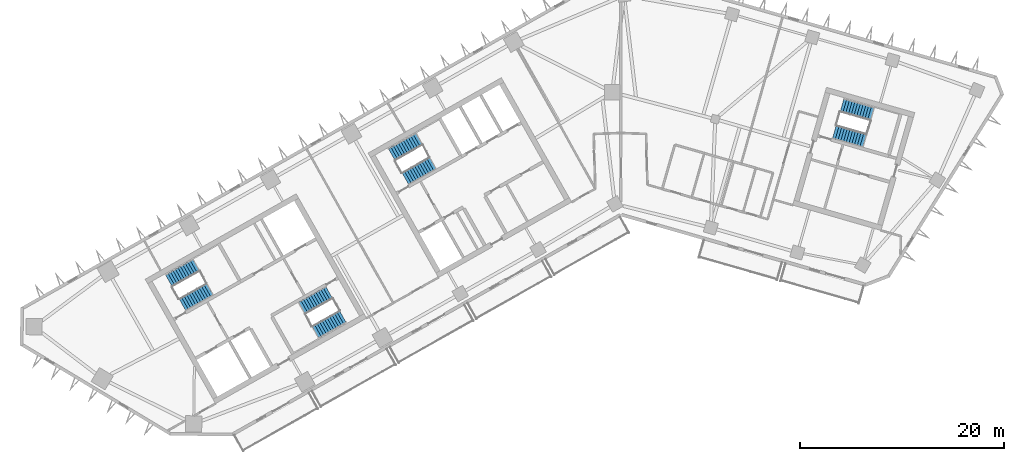
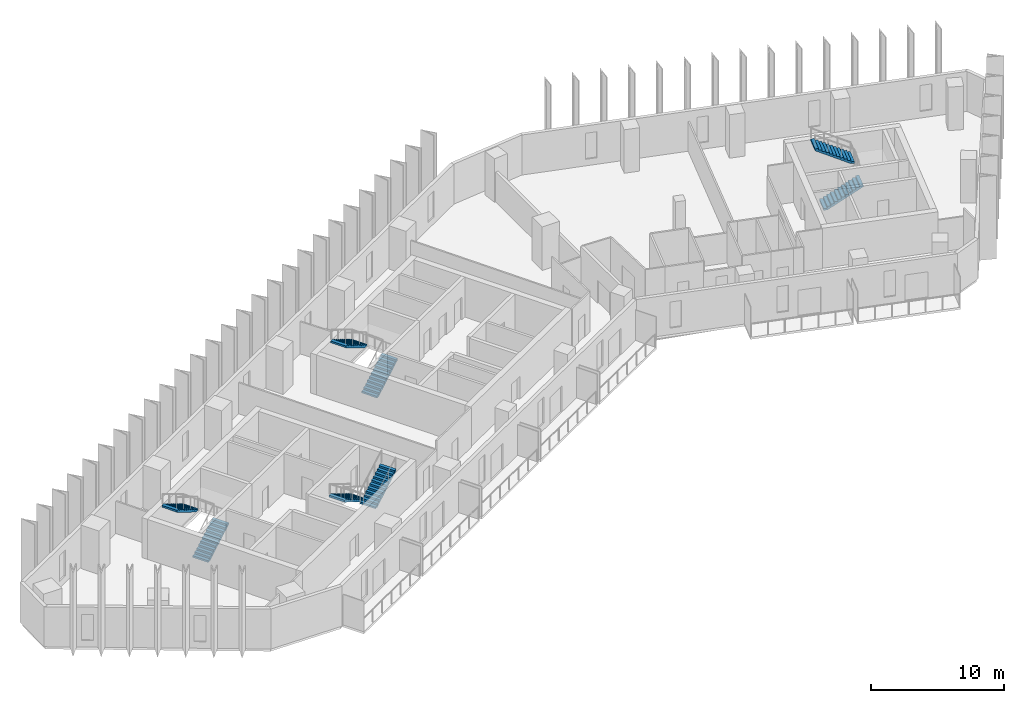
# One storey, part 7 of 10: 8 stair flights, 4 elements without a shape of their own.
"""IFC4 building model written with IfcOpenShell, lengths in metres."""

from ifc_helpers import new_model, si_unit, direction, frame, origin, place, context, subcontext, project, spatial, polyline, outline, extrude, material, type_object, element, aggregate, save


model = new_model("IFC4")

# Units and contexts
model_context = context("Model", 3, precision=1e-05, world=origin(), true_north=direction((0.0, 1.0)))
body_context = subcontext(model_context, "Body", "Model", "MODEL_VIEW")
ifc_project = project(units=[si_unit("LENGTHUNIT", "METRE"), si_unit("AREAUNIT", "SQUARE_METRE"), si_unit("VOLUMEUNIT", "CUBIC_METRE"), si_unit("PLANEANGLEUNIT", "RADIAN"), si_unit("MASSUNIT", "GRAM", prefix="KILO")], contexts=[model_context])

# Site, building, storey
site_placement = place(None, origin())
site = spatial("IfcSite", under=ifc_project, at=site_placement, CompositionType="ELEMENT")
building_placement = place(site_placement, origin())
building = spatial("IfcBuilding", under=site, at=building_placement, Name="Binnacle Exchange Tower", CompositionType="ELEMENT")
storey_placement = place(building_placement, frame((0.0, 0.0, 162.89990234375)))
storey = spatial("IfcBuildingStorey", under=building, at=storey_placement, Name="L34", CompositionType="ELEMENT", Elevation=162.89990234375)

# Stair, stair flights
ifc_material = material(Name="Concrete C35/45", Category="concrete")
stair_type = type_object("IfcStairType", Name="STAIR 24 RISERS 167", PredefinedType="HALF_TURN_STAIR", material=ifc_material)
stair_1_placement = place(storey_placement, origin())
stair_1 = element("IfcStair", 1, at=stair_1_placement, inside=storey, type_object=stair_type, Name="L34 Escape stair A1", PredefinedType="HALF_TURN_STAIR")
stair_flight_type = type_object("IfcStairFlightType", Name="STAIR FLIGHT 167X280", PredefinedType="STRAIGHT", material=ifc_material)
stair_flight_1_placement = place(storey_placement, frame((-42.9541015625, 39.17333984375, 0.0), z_axis=(0.0, 0.0, 1.0), x_axis=(0.870355584213, 0.492423757581, 0.0)))
stair_flight_1 = element("IfcStairFlight", 2, at=stair_flight_1_placement, type_object=stair_flight_type, Name="STA1 flight 1", NumberOfRisers=12, NumberOfTreads=11, PredefinedType="STRAIGHT", RiserHeight=0.166666667, TreadLength=0.28, context=body_context, shape_type="SweptSolid", body=[
    extrude(outline(polyline([(0.0, 0.0), (0.0, 0.166748046875), (0.280029296875, 0.166748046875), (0.280029296875, 0.333251953125), (0.56005859375, 0.333251953125), (0.56005859375, 0.5), (0.840087890625, 0.5), (0.840087890625, 0.666748046875), (1.1201171875, 0.666748046875), (1.1201171875, 0.833251953125), (1.39990234375, 0.833251953125), (1.39990234375, 1.0), (1.679931640625, 1.0), (1.679931640625, 1.166748046875), (1.9599609375, 1.166748046875), (1.9599609375, 1.333251953125), (2.239990234375, 1.333251953125), (2.239990234375, 1.5), (2.52001953125, 1.5), (2.52001953125, 1.666748046875), (2.800048828125, 1.666748046875), (2.800048828125, 1.833251953125), (3.080078125, 1.833251953125), (3.080078125, 2.0), (3.080078125, 1.658935546875), (0.29296875, 0.0), (0.0, 0.0)])), frame((0.0, 0.675048828125, 0.0), z_axis=(0.0, -1.0, 0.0), x_axis=(1.0, 0.0, 0.0)), (0.0, 0.0, 1.0), 1.35009765625),
])
stair_flight_2_placement = place(storey_placement, frame((-41.602783203125, 43.0400390625, 2.0), z_axis=(0.0, 0.0, 1.0), x_axis=(-0.870355584213, -0.492423757581, 0.0)))
stair_flight_2 = element("IfcStairFlight", 3, at=stair_flight_2_placement, type_object=stair_flight_type, Name="STA1 flight 2", NumberOfRisers=12, NumberOfTreads=11, PredefinedType="STRAIGHT", RiserHeight=0.166666667, TreadLength=0.28, context=body_context, shape_type="SweptSolid", body=[
    extrude(outline(polyline([(0.0, 0.0), (0.0, 0.166748046875), (0.280029296875, 0.166748046875), (0.280029296875, 0.333251953125), (0.56005859375, 0.333251953125), (0.56005859375, 0.5), (0.840087890625, 0.5), (0.840087890625, 0.666748046875), (1.1201171875, 0.666748046875), (1.1201171875, 0.833251953125), (1.39990234375, 0.833251953125), (1.39990234375, 1.0), (1.679931640625, 1.0), (1.679931640625, 1.166748046875), (1.9599609375, 1.166748046875), (1.9599609375, 1.333251953125), (2.239990234375, 1.333251953125), (2.239990234375, 1.5), (2.52001953125, 1.5), (2.52001953125, 1.666748046875), (2.800048828125, 1.666748046875), (2.800048828125, 1.833251953125), (3.080078125, 1.833251953125), (3.080078125, 2.0), (3.080078125, 1.658935546875), (0.29296875, 0.0), (0.0, 0.0)])), frame((0.0, 0.675048828125, 0.0), z_axis=(0.0, -1.0, 0.0), x_axis=(1.0, 0.0, 0.0)), (0.0, 0.0, 1.0), 1.35009765625),
])
aggregate(stair_1, [stair_flight_1, stair_flight_2])

stair_2_placement = place(storey_placement, origin())
stair_2 = element("IfcStair", 4, at=stair_2_placement, inside=storey, type_object=stair_type, Name="L34 Escape stair A2", PredefinedType="HALF_TURN_STAIR")
stair_flight_3_placement = place(storey_placement, frame((-28.5732421875, 40.3583984375, 0.0), z_axis=(0.0, 0.0, 1.0), x_axis=(-0.870355584213, -0.492423757581, 0.0)))
stair_flight_3 = element("IfcStairFlight", 5, at=stair_flight_3_placement, type_object=stair_flight_type, Name="STA2 flight 1", NumberOfRisers=12, NumberOfTreads=11, PredefinedType="STRAIGHT", RiserHeight=0.166666667, TreadLength=0.28, context=body_context, shape_type="SweptSolid", body=[
    extrude(outline(polyline([(0.0, 0.0), (0.0, 0.166748046875), (0.280029296875, 0.166748046875), (0.280029296875, 0.333251953125), (0.56005859375, 0.333251953125), (0.56005859375, 0.5), (0.840087890625, 0.5), (0.840087890625, 0.666748046875), (1.1201171875, 0.666748046875), (1.1201171875, 0.833251953125), (1.39990234375, 0.833251953125), (1.39990234375, 1.0), (1.679931640625, 1.0), (1.679931640625, 1.166748046875), (1.9599609375, 1.166748046875), (1.9599609375, 1.333251953125), (2.239990234375, 1.333251953125), (2.239990234375, 1.5), (2.52001953125, 1.5), (2.52001953125, 1.666748046875), (2.800048828125, 1.666748046875), (2.800048828125, 1.833251953125), (3.080078125, 1.833251953125), (3.080078125, 2.0), (3.080078125, 1.658935546875), (0.29296875, 0.0), (0.0, 0.0)])), frame((0.0, 0.675048828125, 0.0), z_axis=(0.0, -1.0, 0.0), x_axis=(1.0, 0.0, 0.0)), (0.0, 0.0, 1.0), 1.35009765625),
])
stair_flight_4_placement = place(storey_placement, frame((-29.92431640625, 36.49169921875, 2.0), z_axis=(0.0, 0.0, 1.0), x_axis=(0.870355584213, 0.492423757581, 0.0)))
stair_flight_4 = element("IfcStairFlight", 6, at=stair_flight_4_placement, type_object=stair_flight_type, Name="STA2 flight 2", NumberOfRisers=12, NumberOfTreads=11, PredefinedType="STRAIGHT", RiserHeight=0.166666667, TreadLength=0.28, context=body_context, shape_type="SweptSolid", body=[
    extrude(outline(polyline([(0.0, 0.0), (0.0, 0.166748046875), (0.280029296875, 0.166748046875), (0.280029296875, 0.333251953125), (0.56005859375, 0.333251953125), (0.56005859375, 0.5), (0.840087890625, 0.5), (0.840087890625, 0.666748046875), (1.1201171875, 0.666748046875), (1.1201171875, 0.833251953125), (1.39990234375, 0.833251953125), (1.39990234375, 1.0), (1.679931640625, 1.0), (1.679931640625, 1.166748046875), (1.9599609375, 1.166748046875), (1.9599609375, 1.333251953125), (2.239990234375, 1.333251953125), (2.239990234375, 1.5), (2.52001953125, 1.5), (2.52001953125, 1.666748046875), (2.800048828125, 1.666748046875), (2.800048828125, 1.833251953125), (3.080078125, 1.833251953125), (3.080078125, 2.0), (3.080078125, 1.658935546875), (0.29296875, 0.0), (0.0, 0.0)])), frame((0.0, 0.675048828125, 0.0), z_axis=(0.0, -1.0, 0.0), x_axis=(1.0, 0.0, 0.0)), (0.0, 0.0, 1.0), 1.35009765625),
])
aggregate(stair_2, [stair_flight_3, stair_flight_4])

stair_3_placement = place(storey_placement, origin())
stair_3 = element("IfcStair", 7, at=stair_3_placement, inside=storey, type_object=stair_type, Name="L34 Escape stair C1", PredefinedType="HALF_TURN_STAIR")
stair_flight_5_placement = place(storey_placement, frame((-21.115966796875, 51.528564453125, 0.0), z_axis=(0.0, 0.0, 1.0), x_axis=(0.870355584213, 0.492423757581, 0.0)))
stair_flight_5 = element("IfcStairFlight", 8, at=stair_flight_5_placement, type_object=stair_flight_type, Name="STC1 flight 1", NumberOfRisers=12, NumberOfTreads=11, PredefinedType="STRAIGHT", RiserHeight=0.166666667, TreadLength=0.28, context=body_context, shape_type="SweptSolid", body=[
    extrude(outline(polyline([(0.0, 0.0), (0.0, 0.166748046875), (0.280029296875, 0.166748046875), (0.280029296875, 0.333251953125), (0.56005859375, 0.333251953125), (0.56005859375, 0.5), (0.840087890625, 0.5), (0.840087890625, 0.666748046875), (1.1201171875, 0.666748046875), (1.1201171875, 0.833251953125), (1.39990234375, 0.833251953125), (1.39990234375, 1.0), (1.679931640625, 1.0), (1.679931640625, 1.166748046875), (1.9599609375, 1.166748046875), (1.9599609375, 1.333251953125), (2.239990234375, 1.333251953125), (2.239990234375, 1.5), (2.52001953125, 1.5), (2.52001953125, 1.666748046875), (2.800048828125, 1.666748046875), (2.800048828125, 1.833251953125), (3.080078125, 1.833251953125), (3.080078125, 2.0), (3.080078125, 1.658935546875), (0.29296875, 0.0), (0.0, 0.0)])), frame((0.0, 0.675048828125, 0.0), z_axis=(0.0, -1.0, 0.0), x_axis=(1.0, 0.0, 0.0)), (0.0, 0.0, 1.0), 1.35009765625),
])
stair_flight_6_placement = place(storey_placement, frame((-19.764892578125, 55.395263671875, 2.0), z_axis=(0.0, 0.0, 1.0), x_axis=(-0.870355584213, -0.492423757581, 0.0)))
stair_flight_6 = element("IfcStairFlight", 9, at=stair_flight_6_placement, type_object=stair_flight_type, Name="STC1 flight 2", NumberOfRisers=12, NumberOfTreads=11, PredefinedType="STRAIGHT", RiserHeight=0.166666667, TreadLength=0.28, context=body_context, shape_type="SweptSolid", body=[
    extrude(outline(polyline([(0.0, 0.0), (0.0, 0.166748046875), (0.280029296875, 0.166748046875), (0.280029296875, 0.333251953125), (0.56005859375, 0.333251953125), (0.56005859375, 0.5), (0.840087890625, 0.5), (0.840087890625, 0.666748046875), (1.1201171875, 0.666748046875), (1.1201171875, 0.833251953125), (1.39990234375, 0.833251953125), (1.39990234375, 1.0), (1.679931640625, 1.0), (1.679931640625, 1.166748046875), (1.9599609375, 1.166748046875), (1.9599609375, 1.333251953125), (2.239990234375, 1.333251953125), (2.239990234375, 1.5), (2.52001953125, 1.5), (2.52001953125, 1.666748046875), (2.800048828125, 1.666748046875), (2.800048828125, 1.833251953125), (3.080078125, 1.833251953125), (3.080078125, 2.0), (3.080078125, 1.658935546875), (0.29296875, 0.0), (0.0, 0.0)])), frame((0.0, 0.675048828125, 0.0), z_axis=(0.0, -1.0, 0.0), x_axis=(1.0, 0.0, 0.0)), (0.0, 0.0, 1.0), 1.35009765625),
])
aggregate(stair_3, [stair_flight_5, stair_flight_6])

stair_4_placement = place(storey_placement, origin())
stair_4 = element("IfcStair", 10, at=stair_4_placement, inside=storey, type_object=stair_type, Name="L34 Escape stair D1", PredefinedType="HALF_TURN_STAIR")
stair_flight_7_placement = place(storey_placement, frame((20.914306640625, 56.109619140625, 0.0), z_axis=(0.0, 0.0, 1.0), x_axis=(0.961261811397, -0.275636953165, 0.0)))
stair_flight_7 = element("IfcStairFlight", 11, at=stair_flight_7_placement, type_object=stair_flight_type, Name="STD1 flight 1", NumberOfRisers=12, NumberOfTreads=11, PredefinedType="STRAIGHT", RiserHeight=0.166666667, TreadLength=0.28, context=body_context, shape_type="SweptSolid", body=[
    extrude(outline(polyline([(0.0, 0.0), (0.0, 0.166748046875), (0.280029296875, 0.166748046875), (0.280029296875, 0.333251953125), (0.56005859375, 0.333251953125), (0.56005859375, 0.5), (0.840087890625, 0.5), (0.840087890625, 0.666748046875), (1.1201171875, 0.666748046875), (1.1201171875, 0.833251953125), (1.39990234375, 0.833251953125), (1.39990234375, 1.0), (1.679931640625, 1.0), (1.679931640625, 1.166748046875), (1.9599609375, 1.166748046875), (1.9599609375, 1.333251953125), (2.239990234375, 1.333251953125), (2.239990234375, 1.5), (2.52001953125, 1.5), (2.52001953125, 1.666748046875), (2.800048828125, 1.666748046875), (2.800048828125, 1.833251953125), (3.080078125, 1.833251953125), (3.080078125, 2.0), (3.080078125, 1.658935546875), (0.29296875, 0.0), (0.0, 0.0)])), frame((0.0, 0.675048828125, 0.0), z_axis=(0.0, -1.0, 0.0), x_axis=(1.0, 0.0, 0.0)), (0.0, 0.0, 1.0), 1.35009765625),
])
stair_flight_8_placement = place(storey_placement, frame((24.619384765625, 57.85595703125, 2.0), z_axis=(0.0, 0.0, 1.0), x_axis=(-0.961261811397, 0.275636953165, 0.0)))
stair_flight_8 = element("IfcStairFlight", 12, at=stair_flight_8_placement, type_object=stair_flight_type, Name="STD1 flight 2", NumberOfRisers=12, NumberOfTreads=11, PredefinedType="STRAIGHT", RiserHeight=0.166666667, TreadLength=0.28, context=body_context, shape_type="SweptSolid", body=[
    extrude(outline(polyline([(0.0, 0.0), (0.0, 0.166748046875), (0.280029296875, 0.166748046875), (0.280029296875, 0.333251953125), (0.56005859375, 0.333251953125), (0.56005859375, 0.5), (0.840087890625, 0.5), (0.840087890625, 0.666748046875), (1.1201171875, 0.666748046875), (1.1201171875, 0.833251953125), (1.39990234375, 0.833251953125), (1.39990234375, 1.0), (1.679931640625, 1.0), (1.679931640625, 1.166748046875), (1.9599609375, 1.166748046875), (1.9599609375, 1.333251953125), (2.239990234375, 1.333251953125), (2.239990234375, 1.5), (2.52001953125, 1.5), (2.52001953125, 1.666748046875), (2.800048828125, 1.666748046875), (2.800048828125, 1.833251953125), (3.080078125, 1.833251953125), (3.080078125, 2.0), (3.080078125, 1.658935546875), (0.29296875, 0.0), (0.0, 0.0)])), frame((0.0, 0.675048828125, 0.0), z_axis=(0.0, -1.0, 0.0), x_axis=(1.0, 0.0, 0.0)), (0.0, 0.0, 1.0), 1.35009765625),
])
aggregate(stair_4, [stair_flight_7, stair_flight_8])

save(model, "model.ifc")
